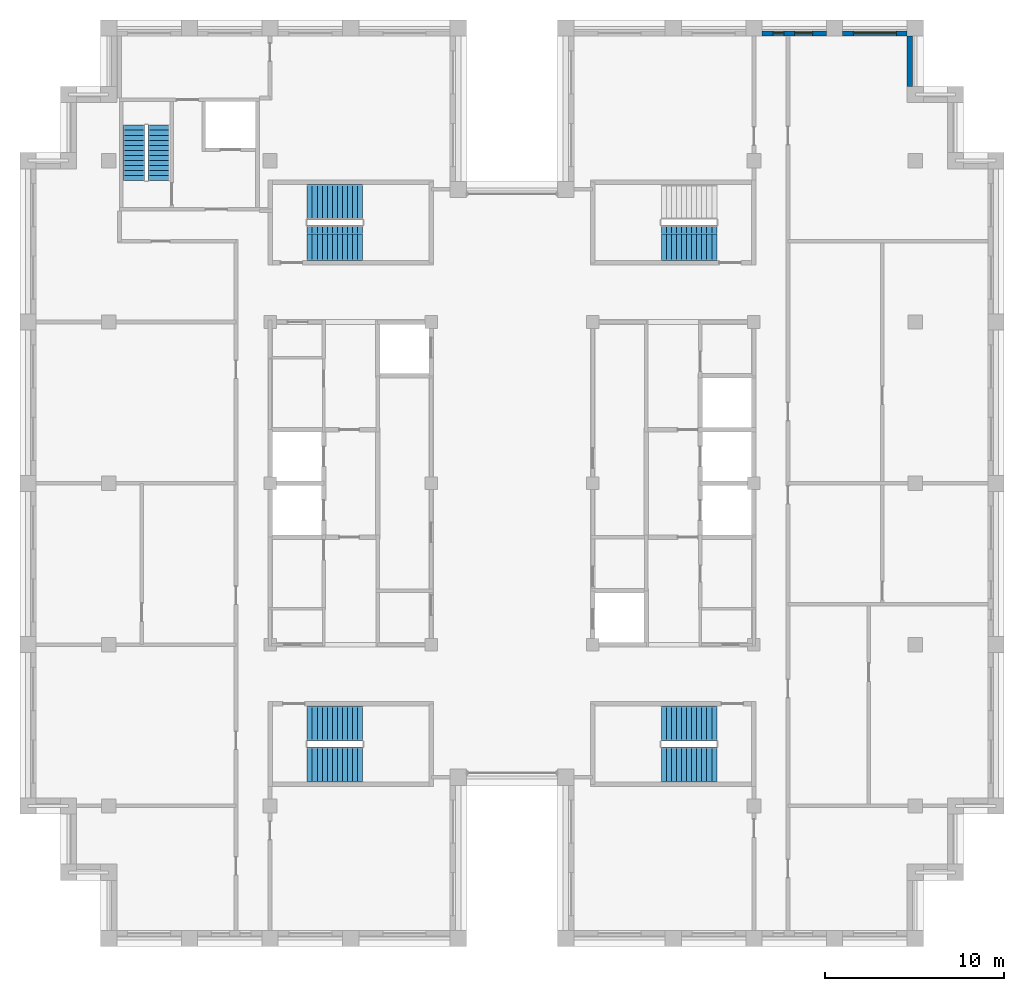
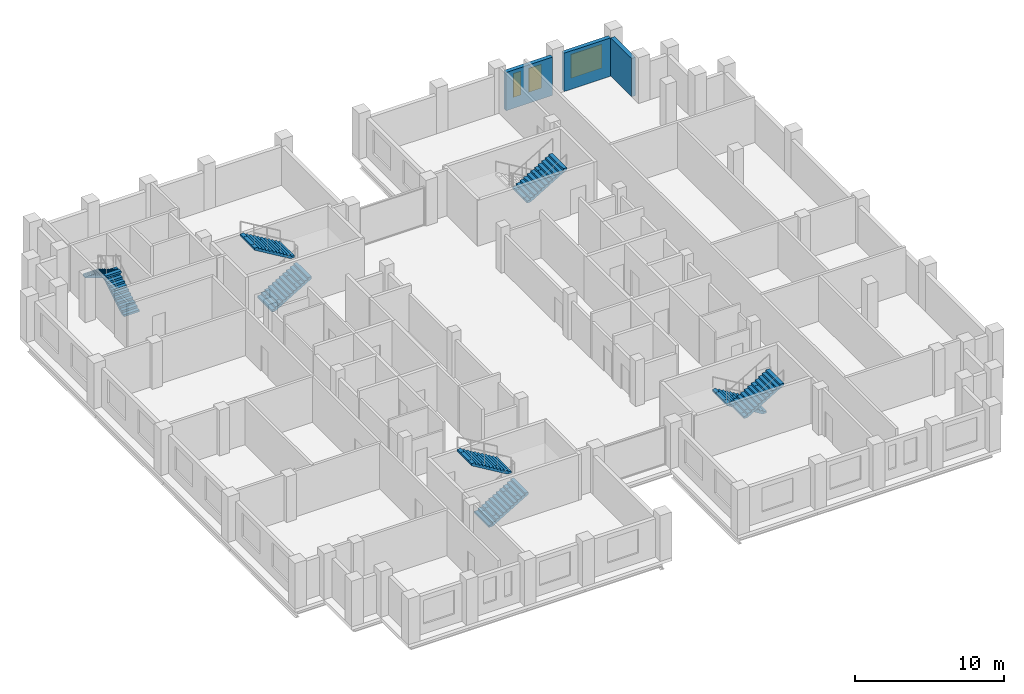
# One storey, part 11 of 13: 9 stair flights, 3 walls, 3 windows, 3 openings, 5 elements without a shape of their own.
"""IFC4 building model written with IfcOpenShell, lengths in metres."""

import ifcopenshell
import ifcopenshell.guid

model = None  # the IFC model being written
_history = None  # IfcOwnerHistory: only IFC2X3 demands one
_inside = {}  # id of a spatial element -> (the spatial element, [elements in it])
_under = {}  # id of a project, library or spatial element -> (it, [spatial elements below it])
_declared = {}  # id of a project -> (the project, [libraries it declares])
_typed = {}  # id of a type object -> (the type object, [elements of that type])
_made_of = {}  # id of a material, layer set ... -> (it, [elements and type objects made of it])


def new_model(schema):
    """Start an empty IFC model of exactly this schema.

    Asked for "IFC4X3", IfcOpenShell would pick the latest addendum, in which some entities
    have other attributes; the version numbers below select the first issue.
    IFC2X3 requires an IfcOwnerHistory on every rooted entity: one is made here for all.
    """
    global model, _history
    if schema == "IFC4X3":
        model = ifcopenshell.file(schema_version=(4, 3, 0, 0))
    else:
        model = ifcopenshell.file(schema=schema)
    _inside.clear()
    _under.clear()
    _declared.clear()
    _typed.clear()
    _made_of.clear()
    _history = None
    if model.schema == "IFC2X3":
        org = make("IfcOrganization", Name="unknown")
        user = make(
            "IfcPersonAndOrganization",
            ThePerson=make("IfcPerson", FamilyName="unknown"),
            TheOrganization=org,
        )
        app = make(
            "IfcApplication",
            ApplicationDeveloper=org,
            Version="unknown",
            ApplicationFullName="unknown",
            ApplicationIdentifier="unknown",
        )
        _history = make(
            "IfcOwnerHistory",
            OwningUser=user,
            OwningApplication=app,
            ChangeAction="ADDED",
            CreationDate=0,
        )
    return model


def make(cls, **values):
    """One entity of the class cls with the attributes given. An attribute that is None is left unset."""
    return model.create_entity(
        cls, **{name: value for name, value in values.items() if value is not None}
    )


def rooted(cls, **values):
    """An entity with a GlobalId (a new one), such as an element, a storey or a relation."""
    return make(cls, GlobalId=ifcopenshell.guid.new(), OwnerHistory=_history, **values)


def si_unit(unit_type, name, prefix=None):
    """IfcSIUnit, for example si_unit("LENGTHUNIT", "METRE", prefix="MILLI")."""
    return make("IfcSIUnit", UnitType=unit_type, Prefix=prefix, Name=name)


def assignment(units):
    """IfcUnitAssignment: the units of a project."""
    return None if units is None else make("IfcUnitAssignment", Units=units)


def point(xyz):
    """IfcCartesianPoint."""
    return None if xyz is None else make("IfcCartesianPoint", Coordinates=xyz)


def direction(xyz):
    """IfcDirection."""
    return None if xyz is None else make("IfcDirection", DirectionRatios=xyz)


def frame(location, z_axis=None, x_axis=None):
    """IfcAxis2Placement3D, a coordinate frame: its origin and axes. An axis left out is left unset."""
    return make(
        "IfcAxis2Placement3D",
        Location=point(location),
        Axis=direction(z_axis),
        RefDirection=direction(x_axis),
    )


def frame_2d(location, x_axis=None):
    """IfcAxis2Placement2D, a coordinate frame in the plane: its origin and x axis."""
    return make(
        "IfcAxis2Placement2D", Location=point(location), RefDirection=direction(x_axis)
    )


def origin():
    """The frame at (0, 0, 0) with its axes left unset."""
    return frame((0.0, 0.0, 0.0))


def place(relative_to, where):
    """IfcLocalPlacement: puts the frame where relative to a parent placement (None: the world)."""
    return make(
        "IfcLocalPlacement", PlacementRelTo=relative_to, RelativePlacement=where
    )


def context(
    kind, dimensions, precision=None, world=None, true_north=None, identifier=None
):
    """IfcGeometricRepresentationContext, for example the 3D "Model" context."""
    return make(
        "IfcGeometricRepresentationContext",
        ContextIdentifier=identifier,
        ContextType=kind,
        CoordinateSpaceDimension=dimensions,
        Precision=precision,
        WorldCoordinateSystem=world,
        TrueNorth=true_north,
    )


def subcontext(parent, identifier, kind, view, scale=None):
    """IfcGeometricRepresentationSubContext, for example "Body" below "Model"."""
    return make(
        "IfcGeometricRepresentationSubContext",
        ContextIdentifier=identifier,
        ContextType=kind,
        ParentContext=parent,
        TargetScale=scale,
        TargetView=view,
    )


def project(units=None, contexts=None):
    """IfcProject with its units and contexts."""
    return rooted(
        "IfcProject",
        Name="project",
        RepresentationContexts=contexts,
        UnitsInContext=assignment(units),
    )


def spatial(cls, under=None, at=None, **own):
    """A site, building, storey or space (cls), placed at a placement, below another one or the project."""
    s = rooted(cls, ObjectPlacement=at, **own)
    if under is not None:
        _under.setdefault(under.id(), (under, []))[1].append(s)
    return s


def polyline(points):
    """IfcPolyline through the points."""
    return make("IfcPolyline", Points=[point(p) for p in points])


def profile(cls, at=None, kind="AREA", **sizes):
    """A parametric profile (cls). Its sizes go by their IFC names, for example OverallWidth=200.0."""
    return make(cls, ProfileType=kind, Position=at, **sizes)


def rectangle(**sizes):
    """IfcRectangleProfileDef."""
    return profile("IfcRectangleProfileDef", **sizes)


def outline(outer, holes=None, kind="AREA"):
    """IfcArbitraryClosedProfileDef: a profile drawn as a closed curve; with holes, ...WithVoids."""
    if holes is None:
        return make("IfcArbitraryClosedProfileDef", ProfileType=kind, OuterCurve=outer)
    return make(
        "IfcArbitraryProfileDefWithVoids",
        ProfileType=kind,
        OuterCurve=outer,
        InnerCurves=holes,
    )


def extrude(swept, where, along, depth):
    """IfcExtrudedAreaSolid: the profile swept, set in the frame where, extruded along a direction by depth."""
    return make(
        "IfcExtrudedAreaSolid",
        SweptArea=swept,
        Position=where,
        ExtrudedDirection=direction(along),
        Depth=depth,
    )


def shape(context_of_items, identifier, shape_type, items):
    """IfcShapeRepresentation: the items that make up one representation, for example the "Body"."""
    return make(
        "IfcShapeRepresentation",
        ContextOfItems=context_of_items,
        RepresentationIdentifier=identifier,
        RepresentationType=shape_type,
        Items=items,
    )


def material(Name=None, Category=None):
    """IfcMaterial."""
    return make("IfcMaterial", Name=Name, Category=Category)


def layer(
    of_material, thickness, ventilated=None, Name=None, Category=None, Priority=None
):
    """IfcMaterialLayer: one layer of a wall or slab, of a material (None: an air gap)."""
    return make(
        "IfcMaterialLayer",
        Material=of_material,
        LayerThickness=thickness,
        IsVentilated=ventilated,
        Name=Name,
        Category=Category,
        Priority=Priority,
    )


def layer_set(layers, Name=None):
    """IfcMaterialLayerSet."""
    return make("IfcMaterialLayerSet", MaterialLayers=layers, LayerSetName=Name)


def made_of(thing, what):
    """Note that an element or type object is made of a material, layer set ...; save() writes the relation."""
    if what is not None:
        _made_of.setdefault(what.id(), (what, []))[1].append(thing)
    return thing


def type_object(cls, material=None, **own):
    """A type object (cls), such as IfcWallType, which elements share."""
    return made_of(rooted(cls, **own), material)


def element(
    cls,
    number,
    at=None,
    inside=None,
    cuts=None,
    type_object=None,
    material=None,
    context=None,
    identifier="Body",
    shape_type=None,
    held_by="IfcProductDefinitionShape",
    body=None,
    shapes=None,
    **own,
):
    """One element of the class cls, such as IfcWall. Its Tag is "e" and its number.

    at: its placement. inside: the storey or other place that contains it. cuts: it is an
    opening in that element (IfcRelVoidsElement). A single representation is given by context,
    identifier, shape_type and body (its items); several are given by shapes. held_by: the class
    of the entity that holds the representations. save() writes the other relations.
    """
    e = rooted(cls, Tag="e%d" % number, ObjectPlacement=at, **own)
    if body is not None:
        shapes = [shape(context, identifier, shape_type, body)]
    if shapes is not None:
        e.Representation = make(held_by, Representations=shapes)
    if inside is not None:
        _inside.setdefault(inside.id(), (inside, []))[1].append(e)
    if cuts is not None:
        rooted(
            "IfcRelVoidsElement", RelatingBuildingElement=cuts, RelatedOpeningElement=e
        )
    if type_object is not None:
        _typed.setdefault(type_object.id(), (type_object, []))[1].append(e)
    return made_of(e, material)


def fill(opening, filler):
    """IfcRelFillsElement: the door or window that sits in an opening."""
    return rooted(
        "IfcRelFillsElement",
        RelatingOpeningElement=opening,
        RelatedBuildingElement=filler,
    )


def aggregate(whole, parts):
    """IfcRelAggregates: a whole, such as a stair, and the parts it consists of."""
    return rooted("IfcRelAggregates", RelatingObject=whole, RelatedObjects=parts)


def save(model, path):
    """Write the relations noted so far, then the file.

    IfcRelAggregates (storeys below a building ...), IfcRelContainedInSpatialStructure (elements
    in a storey), IfcRelDefinesByType, IfcRelAssociatesMaterial and IfcRelDeclares: one each for
    every whole, place, type object, material and project.
    """
    for whole, parts in _under.values():
        aggregate(whole, parts)
    for where, things in _inside.values():
        rooted(
            "IfcRelContainedInSpatialStructure",
            RelatedElements=things,
            RelatingStructure=where,
        )
    for kind, things in _typed.values():
        rooted("IfcRelDefinesByType", RelatedObjects=things, RelatingType=kind)
    for what, things in _made_of.values():
        rooted("IfcRelAssociatesMaterial", RelatedObjects=things, RelatingMaterial=what)
    for by, libraries in _declared.values():
        rooted("IfcRelDeclares", RelatingContext=by, RelatedDefinitions=libraries)
    model.write(path)


model = new_model("IFC4")

# Units and contexts
model_context = context("Model", 3, precision=1e-05, world=origin(), true_north=direction((0.0, 1.0)))
body_context = subcontext(model_context, "Body", "Model", "MODEL_VIEW")
ifc_project = project(units=[si_unit("LENGTHUNIT", "METRE"), si_unit("AREAUNIT", "SQUARE_METRE"), si_unit("VOLUMEUNIT", "CUBIC_METRE"), si_unit("PLANEANGLEUNIT", "RADIAN"), si_unit("MASSUNIT", "GRAM", prefix="KILO")], contexts=[model_context])

# Site, building, storey
site_placement = place(None, origin())
site = spatial("IfcSite", under=ifc_project, at=site_placement, CompositionType="ELEMENT")
building_placement = place(site_placement, origin())
building = spatial("IfcBuilding", under=site, at=building_placement, Name="Corbelhall Arena Tower", CompositionType="ELEMENT")
storey_placement = place(building_placement, frame((0.0, 0.0, 334.0)))
storey = spatial("IfcBuildingStorey", under=building, at=storey_placement, Name="L73", CompositionType="ELEMENT", Elevation=334.0)

# Wall
ifc_material_1 = material(Name="Precast concrete C40/50 with granite facing", Category="masonry")
ifc_layer = layer(ifc_material_1, 0.300048828125)
ifc_layer_set = layer_set([ifc_layer], Name="EV-IW1 Infill panel 300")
wall_type = type_object("IfcWallType", Name="EV-IW1 Infill panel 300", PredefinedType="SOLIDWALL", material=ifc_layer_set)
wall_1_placement = place(storey_placement, frame((22.199951171875, 22.14990234375, 0.0), z_axis=(0.0, 0.0, 1.0), x_axis=(0.0, 1.0, 0.0)))
element("IfcWall", 1, at=wall_1_placement, inside=storey, type_object=wall_type, Name="Infill panel IW1", PredefinedType="SOLIDWALL", context=body_context, shape_type="SweptSolid", body=[
    extrude(rectangle(XDim=2.800048828125, YDim=0.300048828125, at=frame_2d((1.39990234375, 0.0))), origin(), (0.0, 0.0, 1.0), 3.139892578125),
])

# Wall, opening, window
wall_2_placement = place(storey_placement, frame((22.050048828125, 25.10009765625, 0.0), z_axis=(0.0, 0.0, 1.0), x_axis=(-1.0, 0.0, 0.0)))
wall_2 = element("IfcWall", 2, at=wall_2_placement, inside=storey, type_object=wall_type, Name="Infill panel IW1", PredefinedType="SOLIDWALL", context=body_context, shape_type="SweptSolid", body=[
    extrude(rectangle(XDim=3.60009765625, YDim=0.300048828125, at=frame_2d((1.800048828125, 0.0))), origin(), (0.0, 0.0, 1.0), 3.139892578125),
])
opening_1_placement = place(wall_2_placement, frame((0.60009765625, 0.0, 0.800048828125)))
opening_1 = element("IfcOpeningElement", 3, at=opening_1_placement, cuts=wall_2, Name="Opening WN1", PredefinedType="OPENING", context=body_context, shape_type="SweptSolid", body=[
    extrude(rectangle(XDim=2.39990234375, YDim=1.949951171875, at=frame_2d((1.199951171875, 0.97509765625))), frame((0.0, 0.14990234375, 0.0), z_axis=(0.0, -1.0, 0.0), x_axis=(1.0, 0.0, 0.0)), (0.0, 0.0, 1.0), 0.300048828125),
])
ifc_material_2 = material(Name="Aluminium black anodised", Category="aluminium")
window_type_1 = type_object("IfcWindowType", Name="EV-WN1 Office window", PartitioningType="SINGLE_PANEL", PredefinedType="WINDOW", material=ifc_material_2)
window_1_placement = place(opening_1_placement, origin())
window_1 = element("IfcWindow", 4, at=window_1_placement, inside=storey, type_object=window_type_1, Name="Window WN1", OverallHeight=1.949951171875, OverallWidth=2.39990234375, PartitioningType="SINGLE_PANEL", PredefinedType="WINDOW", context=body_context, shape_type="SweptSolid", body=[
    extrude(rectangle(XDim=2.39990234375, YDim=1.949951171875, at=frame_2d((1.199951171875, 0.97509765625))), frame((0.0, 0.030029296875, 0.0), z_axis=(0.0, -1.0, 0.0), x_axis=(1.0, 0.0, 0.0)), (0.0, 0.0, 1.0), 0.06005859375),
])
fill(opening_1, window_1)

# Wall, openings, windows
wall_3_placement = place(storey_placement, frame((17.550048828125, 25.10009765625, 0.0), z_axis=(0.0, 0.0, 1.0), x_axis=(-1.0, 0.0, 0.0)))
wall_3 = element("IfcWall", 5, at=wall_3_placement, inside=storey, type_object=wall_type, Name="Infill panel IW1", PredefinedType="SOLIDWALL", context=body_context, shape_type="SweptSolid", body=[
    extrude(rectangle(XDim=3.60009765625, YDim=0.300048828125, at=frame_2d((1.800048828125, 0.0))), origin(), (0.0, 0.0, 1.0), 3.139892578125),
])
opening_2_placement = place(wall_3_placement, frame((0.77490234375, 0.0, 0.800048828125)))
opening_2 = element("IfcOpeningElement", 6, at=opening_2_placement, cuts=wall_3, Name="Opening WN6", PredefinedType="OPENING", context=body_context, shape_type="SweptSolid", body=[
    extrude(rectangle(XDim=1.0, YDim=1.949951171875, at=frame_2d((0.5, 0.97509765625))), frame((0.0, 0.14990234375, 0.0), z_axis=(0.0, -1.0, 0.0), x_axis=(1.0, 0.0, 0.0)), (0.0, 0.0, 1.0), 0.300048828125),
])
opening_3_placement = place(wall_3_placement, frame((2.375, 0.0, 0.800048828125)))
opening_3 = element("IfcOpeningElement", 7, at=opening_3_placement, cuts=wall_3, Name="Opening WN5", PredefinedType="OPENING", context=body_context, shape_type="SweptSolid", body=[
    extrude(rectangle(XDim=0.60009765625, YDim=1.949951171875, at=frame_2d((0.300048828125, 0.97509765625))), frame((0.0, 0.14990234375, 0.0), z_axis=(0.0, -1.0, 0.0), x_axis=(1.0, 0.0, 0.0)), (0.0, 0.0, 1.0), 0.300048828125),
])
window_type_2 = type_object("IfcWindowType", Name="EV-WN5 Office window 600", PartitioningType="SINGLE_PANEL", PredefinedType="WINDOW", material=ifc_material_2)
window_2_placement = place(opening_3_placement, origin())
window_2 = element("IfcWindow", 8, at=window_2_placement, inside=storey, type_object=window_type_2, Name="Window WN5", OverallHeight=1.949951171875, OverallWidth=0.60009765625, PartitioningType="SINGLE_PANEL", PredefinedType="WINDOW", context=body_context, shape_type="SweptSolid", body=[
    extrude(rectangle(XDim=0.60009765625, YDim=1.949951171875, at=frame_2d((0.300048828125, 0.97509765625))), frame((0.0, 0.030029296875, 0.0), z_axis=(0.0, -1.0, 0.0), x_axis=(1.0, 0.0, 0.0)), (0.0, 0.0, 1.0), 0.06005859375),
])
fill(opening_3, window_2)
window_type_3 = type_object("IfcWindowType", Name="EV-WN6 Office window 1000", PartitioningType="SINGLE_PANEL", PredefinedType="WINDOW", material=ifc_material_2)
window_3_placement = place(opening_2_placement, origin())
window_3 = element("IfcWindow", 9, at=window_3_placement, inside=storey, type_object=window_type_3, Name="Window WN6", OverallHeight=1.949951171875, OverallWidth=1.0, PartitioningType="SINGLE_PANEL", PredefinedType="WINDOW", context=body_context, shape_type="SweptSolid", body=[
    extrude(rectangle(XDim=1.0, YDim=1.949951171875, at=frame_2d((0.5, 0.97509765625))), frame((0.0, 0.030029296875, 0.0), z_axis=(0.0, -1.0, 0.0), x_axis=(1.0, 0.0, 0.0)), (0.0, 0.0, 1.0), 0.06005859375),
])
fill(opening_2, window_3)

# Stair, stair flights
ifc_material_3 = material(Name="Concrete C40/50", Category="concrete")
stair_type = type_object("IfcStairType", Name="IN-ST-TOWER", PredefinedType="HALF_TURN_STAIR", material=ifc_material_3)
stair_1_placement = place(storey_placement, origin())
stair_1 = element("IfcStair", 10, at=stair_1_placement, inside=storey, type_object=stair_type, Name="L73 Exit stair ST1", PredefinedType="HALF_TURN_STAIR")
stair_flight_type = type_object("IfcStairFlightType", Name="IN-SFL-RC", PredefinedType="STRAIGHT", material=ifc_material_3)
stair_flight_1_placement = place(storey_placement, frame((-11.425048828125, 13.39990234375, 0.0), z_axis=(0.0, 0.0, 1.0), x_axis=(1.0, 0.0, 0.0)))
stair_flight_1 = element("IfcStairFlight", 11, at=stair_flight_1_placement, type_object=stair_flight_type, Name="ST1 flight 1", NumberOfRisers=12, NumberOfTreads=11, PredefinedType="STRAIGHT", RiserHeight=0.166666667, TreadLength=0.28, context=body_context, shape_type="SweptSolid", body=[
    extrude(outline(polyline([(0.0, 0.0), (0.0, 0.166748046875), (0.280029296875, 0.166748046875), (0.280029296875, 0.333251953125), (0.56005859375, 0.333251953125), (0.56005859375, 0.5), (0.840087890625, 0.5), (0.840087890625, 0.666748046875), (1.1201171875, 0.666748046875), (1.1201171875, 0.833251953125), (1.39990234375, 0.833251953125), (1.39990234375, 1.0), (1.679931640625, 1.0), (1.679931640625, 1.166748046875), (1.9599609375, 1.166748046875), (1.9599609375, 1.333251953125), (2.239990234375, 1.333251953125), (2.239990234375, 1.5), (2.52001953125, 1.5), (2.52001953125, 1.666748046875), (2.800048828125, 1.666748046875), (2.800048828125, 1.833251953125), (3.080078125, 1.833251953125), (3.080078125, 2.0), (3.080078125, 1.658935546875), (0.29296875, 0.0), (0.0, 0.0)])), frame((0.0, 0.97509765625, 0.0), z_axis=(0.0, -1.0, 0.0), x_axis=(1.0, 0.0, 0.0)), (0.0, 0.0, 1.0), 0.449951171875),
    extrude(outline(polyline([(0.0, 0.0), (0.0, 0.166748046875), (0.280029296875, 0.166748046875), (0.280029296875, 0.333251953125), (0.56005859375, 0.333251953125), (0.56005859375, 0.5), (0.840087890625, 0.5), (0.840087890625, 0.666748046875), (1.1201171875, 0.666748046875), (1.1201171875, 0.833251953125), (1.39990234375, 0.833251953125), (1.39990234375, 1.0), (1.679931640625, 1.0), (1.679931640625, 1.166748046875), (1.9599609375, 1.166748046875), (1.9599609375, 1.333251953125), (2.239990234375, 1.333251953125), (2.239990234375, 1.5), (2.52001953125, 1.5), (2.52001953125, 1.666748046875), (2.800048828125, 1.666748046875), (2.800048828125, 1.833251953125), (3.080078125, 1.833251953125), (3.080078125, 2.0), (3.080078125, 1.658935546875), (0.29296875, 0.0), (0.0, 0.0)])), frame((0.0, 0.52099609375, 0.0), z_axis=(0.0, -1.0, 0.0), x_axis=(1.0, 0.0, 0.0)), (0.0, 0.0, 1.0), 1.0419921875),
    extrude(outline(polyline([(0.0, 0.0), (0.0, 0.166748046875), (0.280029296875, 0.166748046875), (0.280029296875, 0.333251953125), (0.56005859375, 0.333251953125), (0.56005859375, 0.5), (0.840087890625, 0.5), (0.840087890625, 0.666748046875), (1.1201171875, 0.666748046875), (1.1201171875, 0.833251953125), (1.39990234375, 0.833251953125), (1.39990234375, 1.0), (1.679931640625, 1.0), (1.679931640625, 1.166748046875), (1.9599609375, 1.166748046875), (1.9599609375, 1.333251953125), (2.239990234375, 1.333251953125), (2.239990234375, 1.5), (2.52001953125, 1.5), (2.52001953125, 1.666748046875), (2.800048828125, 1.666748046875), (2.800048828125, 1.833251953125), (3.080078125, 1.833251953125), (3.080078125, 2.0), (3.080078125, 1.658935546875), (0.29296875, 0.0), (0.0, 0.0)])), frame((0.0, -0.52490234375, 0.0), z_axis=(0.0, -1.0, 0.0), x_axis=(1.0, 0.0, 0.0)), (0.0, 0.0, 1.0), 0.449951171875),
])
stair_flight_2_placement = place(storey_placement, frame((-8.344970703125, 15.699951171875, 2.0), z_axis=(0.0, 0.0, 1.0), x_axis=(-1.0, 0.0, 0.0)))
stair_flight_2 = element("IfcStairFlight", 12, at=stair_flight_2_placement, type_object=stair_flight_type, Name="ST1 flight 2", NumberOfRisers=12, NumberOfTreads=11, PredefinedType="STRAIGHT", RiserHeight=0.166666667, TreadLength=0.28, context=body_context, shape_type="SweptSolid", body=[
    extrude(outline(polyline([(0.0, 0.0), (0.0, 0.166748046875), (0.280029296875, 0.166748046875), (0.280029296875, 0.333251953125), (0.56005859375, 0.333251953125), (0.56005859375, 0.5), (0.840087890625, 0.5), (0.840087890625, 0.666748046875), (1.1201171875, 0.666748046875), (1.1201171875, 0.833251953125), (1.39990234375, 0.833251953125), (1.39990234375, 1.0), (1.679931640625, 1.0), (1.679931640625, 1.166748046875), (1.9599609375, 1.166748046875), (1.9599609375, 1.333251953125), (2.239990234375, 1.333251953125), (2.239990234375, 1.5), (2.52001953125, 1.5), (2.52001953125, 1.666748046875), (2.800048828125, 1.666748046875), (2.800048828125, 1.833251953125), (3.080078125, 1.833251953125), (3.080078125, 2.0), (3.080078125, 1.658935546875), (0.29296875, 0.0), (0.0, 0.0)])), frame((0.0, 0.97509765625, 0.0), z_axis=(0.0, -1.0, 0.0), x_axis=(1.0, 0.0, 0.0)), (0.0, 0.0, 1.0), 0.449951171875),
    extrude(outline(polyline([(0.0, 0.0), (0.0, 0.166748046875), (0.280029296875, 0.166748046875), (0.280029296875, 0.333251953125), (0.56005859375, 0.333251953125), (0.56005859375, 0.5), (0.840087890625, 0.5), (0.840087890625, 0.666748046875), (1.1201171875, 0.666748046875), (1.1201171875, 0.833251953125), (1.39990234375, 0.833251953125), (1.39990234375, 1.0), (1.679931640625, 1.0), (1.679931640625, 1.166748046875), (1.9599609375, 1.166748046875), (1.9599609375, 1.333251953125), (2.239990234375, 1.333251953125), (2.239990234375, 1.5), (2.52001953125, 1.5), (2.52001953125, 1.666748046875), (2.800048828125, 1.666748046875), (2.800048828125, 1.833251953125), (3.080078125, 1.833251953125), (3.080078125, 2.0), (3.080078125, 1.658935546875), (0.29296875, 0.0), (0.0, 0.0)])), frame((0.0, 0.52099609375, 0.0), z_axis=(0.0, -1.0, 0.0), x_axis=(1.0, 0.0, 0.0)), (0.0, 0.0, 1.0), 1.0419921875),
    extrude(outline(polyline([(0.0, 0.0), (0.0, 0.166748046875), (0.280029296875, 0.166748046875), (0.280029296875, 0.333251953125), (0.56005859375, 0.333251953125), (0.56005859375, 0.5), (0.840087890625, 0.5), (0.840087890625, 0.666748046875), (1.1201171875, 0.666748046875), (1.1201171875, 0.833251953125), (1.39990234375, 0.833251953125), (1.39990234375, 1.0), (1.679931640625, 1.0), (1.679931640625, 1.166748046875), (1.9599609375, 1.166748046875), (1.9599609375, 1.333251953125), (2.239990234375, 1.333251953125), (2.239990234375, 1.5), (2.52001953125, 1.5), (2.52001953125, 1.666748046875), (2.800048828125, 1.666748046875), (2.800048828125, 1.833251953125), (3.080078125, 1.833251953125), (3.080078125, 2.0), (3.080078125, 1.658935546875), (0.29296875, 0.0), (0.0, 0.0)])), frame((0.0, -0.52490234375, 0.0), z_axis=(0.0, -1.0, 0.0), x_axis=(1.0, 0.0, 0.0)), (0.0, 0.0, 1.0), 0.449951171875),
])
aggregate(stair_1, [stair_flight_1, stair_flight_2])

stair_2_placement = place(storey_placement, origin())
stair_2 = element("IfcStair", 13, at=stair_2_placement, inside=storey, type_object=stair_type, Name="L73 Exit stair ST2", PredefinedType="HALF_TURN_STAIR")
stair_flight_3_placement = place(storey_placement, frame((-11.425048828125, -15.699951171875, 0.0), z_axis=(0.0, 0.0, 1.0), x_axis=(1.0, 0.0, 0.0)))
stair_flight_3 = element("IfcStairFlight", 14, at=stair_flight_3_placement, type_object=stair_flight_type, Name="ST2 flight 1", NumberOfRisers=12, NumberOfTreads=11, PredefinedType="STRAIGHT", RiserHeight=0.166666667, TreadLength=0.28, context=body_context, shape_type="SweptSolid", body=[
    extrude(outline(polyline([(0.0, 0.0), (0.0, 0.166748046875), (0.280029296875, 0.166748046875), (0.280029296875, 0.333251953125), (0.56005859375, 0.333251953125), (0.56005859375, 0.5), (0.840087890625, 0.5), (0.840087890625, 0.666748046875), (1.1201171875, 0.666748046875), (1.1201171875, 0.833251953125), (1.39990234375, 0.833251953125), (1.39990234375, 1.0), (1.679931640625, 1.0), (1.679931640625, 1.166748046875), (1.9599609375, 1.166748046875), (1.9599609375, 1.333251953125), (2.239990234375, 1.333251953125), (2.239990234375, 1.5), (2.52001953125, 1.5), (2.52001953125, 1.666748046875), (2.800048828125, 1.666748046875), (2.800048828125, 1.833251953125), (3.080078125, 1.833251953125), (3.080078125, 2.0), (3.080078125, 1.658935546875), (0.29296875, 0.0), (0.0, 0.0)])), frame((0.0, 0.97509765625, 0.0), z_axis=(0.0, -1.0, 0.0), x_axis=(1.0, 0.0, 0.0)), (0.0, 0.0, 1.0), 0.449951171875),
    extrude(outline(polyline([(0.0, 0.0), (0.0, 0.166748046875), (0.280029296875, 0.166748046875), (0.280029296875, 0.333251953125), (0.56005859375, 0.333251953125), (0.56005859375, 0.5), (0.840087890625, 0.5), (0.840087890625, 0.666748046875), (1.1201171875, 0.666748046875), (1.1201171875, 0.833251953125), (1.39990234375, 0.833251953125), (1.39990234375, 1.0), (1.679931640625, 1.0), (1.679931640625, 1.166748046875), (1.9599609375, 1.166748046875), (1.9599609375, 1.333251953125), (2.239990234375, 1.333251953125), (2.239990234375, 1.5), (2.52001953125, 1.5), (2.52001953125, 1.666748046875), (2.800048828125, 1.666748046875), (2.800048828125, 1.833251953125), (3.080078125, 1.833251953125), (3.080078125, 2.0), (3.080078125, 1.658935546875), (0.29296875, 0.0), (0.0, 0.0)])), frame((0.0, 0.52099609375, 0.0), z_axis=(0.0, -1.0, 0.0), x_axis=(1.0, 0.0, 0.0)), (0.0, 0.0, 1.0), 1.0419921875),
    extrude(outline(polyline([(0.0, 0.0), (0.0, 0.166748046875), (0.280029296875, 0.166748046875), (0.280029296875, 0.333251953125), (0.56005859375, 0.333251953125), (0.56005859375, 0.5), (0.840087890625, 0.5), (0.840087890625, 0.666748046875), (1.1201171875, 0.666748046875), (1.1201171875, 0.833251953125), (1.39990234375, 0.833251953125), (1.39990234375, 1.0), (1.679931640625, 1.0), (1.679931640625, 1.166748046875), (1.9599609375, 1.166748046875), (1.9599609375, 1.333251953125), (2.239990234375, 1.333251953125), (2.239990234375, 1.5), (2.52001953125, 1.5), (2.52001953125, 1.666748046875), (2.800048828125, 1.666748046875), (2.800048828125, 1.833251953125), (3.080078125, 1.833251953125), (3.080078125, 2.0), (3.080078125, 1.658935546875), (0.29296875, 0.0), (0.0, 0.0)])), frame((0.0, -0.52490234375, 0.0), z_axis=(0.0, -1.0, 0.0), x_axis=(1.0, 0.0, 0.0)), (0.0, 0.0, 1.0), 0.449951171875),
])
stair_flight_4_placement = place(storey_placement, frame((-8.344970703125, -13.39990234375, 2.0), z_axis=(0.0, 0.0, 1.0), x_axis=(-1.0, 0.0, 0.0)))
stair_flight_4 = element("IfcStairFlight", 15, at=stair_flight_4_placement, type_object=stair_flight_type, Name="ST2 flight 2", NumberOfRisers=12, NumberOfTreads=11, PredefinedType="STRAIGHT", RiserHeight=0.166666667, TreadLength=0.28, context=body_context, shape_type="SweptSolid", body=[
    extrude(outline(polyline([(0.0, 0.0), (0.0, 0.166748046875), (0.280029296875, 0.166748046875), (0.280029296875, 0.333251953125), (0.56005859375, 0.333251953125), (0.56005859375, 0.5), (0.840087890625, 0.5), (0.840087890625, 0.666748046875), (1.1201171875, 0.666748046875), (1.1201171875, 0.833251953125), (1.39990234375, 0.833251953125), (1.39990234375, 1.0), (1.679931640625, 1.0), (1.679931640625, 1.166748046875), (1.9599609375, 1.166748046875), (1.9599609375, 1.333251953125), (2.239990234375, 1.333251953125), (2.239990234375, 1.5), (2.52001953125, 1.5), (2.52001953125, 1.666748046875), (2.800048828125, 1.666748046875), (2.800048828125, 1.833251953125), (3.080078125, 1.833251953125), (3.080078125, 2.0), (3.080078125, 1.658935546875), (0.29296875, 0.0), (0.0, 0.0)])), frame((0.0, 0.97509765625, 0.0), z_axis=(0.0, -1.0, 0.0), x_axis=(1.0, 0.0, 0.0)), (0.0, 0.0, 1.0), 0.449951171875),
    extrude(outline(polyline([(0.0, 0.0), (0.0, 0.166748046875), (0.280029296875, 0.166748046875), (0.280029296875, 0.333251953125), (0.56005859375, 0.333251953125), (0.56005859375, 0.5), (0.840087890625, 0.5), (0.840087890625, 0.666748046875), (1.1201171875, 0.666748046875), (1.1201171875, 0.833251953125), (1.39990234375, 0.833251953125), (1.39990234375, 1.0), (1.679931640625, 1.0), (1.679931640625, 1.166748046875), (1.9599609375, 1.166748046875), (1.9599609375, 1.333251953125), (2.239990234375, 1.333251953125), (2.239990234375, 1.5), (2.52001953125, 1.5), (2.52001953125, 1.666748046875), (2.800048828125, 1.666748046875), (2.800048828125, 1.833251953125), (3.080078125, 1.833251953125), (3.080078125, 2.0), (3.080078125, 1.658935546875), (0.29296875, 0.0), (0.0, 0.0)])), frame((0.0, 0.52099609375, 0.0), z_axis=(0.0, -1.0, 0.0), x_axis=(1.0, 0.0, 0.0)), (0.0, 0.0, 1.0), 1.0419921875),
    extrude(outline(polyline([(0.0, 0.0), (0.0, 0.166748046875), (0.280029296875, 0.166748046875), (0.280029296875, 0.333251953125), (0.56005859375, 0.333251953125), (0.56005859375, 0.5), (0.840087890625, 0.5), (0.840087890625, 0.666748046875), (1.1201171875, 0.666748046875), (1.1201171875, 0.833251953125), (1.39990234375, 0.833251953125), (1.39990234375, 1.0), (1.679931640625, 1.0), (1.679931640625, 1.166748046875), (1.9599609375, 1.166748046875), (1.9599609375, 1.333251953125), (2.239990234375, 1.333251953125), (2.239990234375, 1.5), (2.52001953125, 1.5), (2.52001953125, 1.666748046875), (2.800048828125, 1.666748046875), (2.800048828125, 1.833251953125), (3.080078125, 1.833251953125), (3.080078125, 2.0), (3.080078125, 1.658935546875), (0.29296875, 0.0), (0.0, 0.0)])), frame((0.0, -0.52490234375, 0.0), z_axis=(0.0, -1.0, 0.0), x_axis=(1.0, 0.0, 0.0)), (0.0, 0.0, 1.0), 0.449951171875),
])
aggregate(stair_2, [stair_flight_3, stair_flight_4])

# Stair, stair flight
stair_3_placement = place(storey_placement, origin())
stair_3 = element("IfcStair", 16, at=stair_3_placement, inside=storey, type_object=stair_type, Name="L73 Exit stair ST3", PredefinedType="HALF_TURN_STAIR")
stair_flight_5_placement = place(storey_placement, frame((8.344970703125, 13.39990234375, 2.0), z_axis=(0.0, 0.0, 1.0), x_axis=(1.0, 0.0, 0.0)))
stair_flight_5 = element("IfcStairFlight", 17, at=stair_flight_5_placement, type_object=stair_flight_type, Name="ST3 flight 2", NumberOfRisers=12, NumberOfTreads=11, PredefinedType="STRAIGHT", RiserHeight=0.166666667, TreadLength=0.28, context=body_context, shape_type="SweptSolid", body=[
    extrude(outline(polyline([(0.0, 0.0), (0.0, 0.166748046875), (0.280029296875, 0.166748046875), (0.280029296875, 0.333251953125), (0.56005859375, 0.333251953125), (0.56005859375, 0.5), (0.840087890625, 0.5), (0.840087890625, 0.666748046875), (1.1201171875, 0.666748046875), (1.1201171875, 0.833251953125), (1.39990234375, 0.833251953125), (1.39990234375, 1.0), (1.679931640625, 1.0), (1.679931640625, 1.166748046875), (1.9599609375, 1.166748046875), (1.9599609375, 1.333251953125), (2.239990234375, 1.333251953125), (2.239990234375, 1.5), (2.52001953125, 1.5), (2.52001953125, 1.666748046875), (2.800048828125, 1.666748046875), (2.800048828125, 1.833251953125), (3.080078125, 1.833251953125), (3.080078125, 2.0), (3.080078125, 1.658935546875), (0.29296875, 0.0), (0.0, 0.0)])), frame((0.0, 0.97509765625, 0.0), z_axis=(0.0, -1.0, 0.0), x_axis=(1.0, 0.0, 0.0)), (0.0, 0.0, 1.0), 0.449951171875),
    extrude(outline(polyline([(0.0, 0.0), (0.0, 0.166748046875), (0.280029296875, 0.166748046875), (0.280029296875, 0.333251953125), (0.56005859375, 0.333251953125), (0.56005859375, 0.5), (0.840087890625, 0.5), (0.840087890625, 0.666748046875), (1.1201171875, 0.666748046875), (1.1201171875, 0.833251953125), (1.39990234375, 0.833251953125), (1.39990234375, 1.0), (1.679931640625, 1.0), (1.679931640625, 1.166748046875), (1.9599609375, 1.166748046875), (1.9599609375, 1.333251953125), (2.239990234375, 1.333251953125), (2.239990234375, 1.5), (2.52001953125, 1.5), (2.52001953125, 1.666748046875), (2.800048828125, 1.666748046875), (2.800048828125, 1.833251953125), (3.080078125, 1.833251953125), (3.080078125, 2.0), (3.080078125, 1.658935546875), (0.29296875, 0.0), (0.0, 0.0)])), frame((0.0, 0.52099609375, 0.0), z_axis=(0.0, -1.0, 0.0), x_axis=(1.0, 0.0, 0.0)), (0.0, 0.0, 1.0), 1.0419921875),
    extrude(outline(polyline([(0.0, 0.0), (0.0, 0.166748046875), (0.280029296875, 0.166748046875), (0.280029296875, 0.333251953125), (0.56005859375, 0.333251953125), (0.56005859375, 0.5), (0.840087890625, 0.5), (0.840087890625, 0.666748046875), (1.1201171875, 0.666748046875), (1.1201171875, 0.833251953125), (1.39990234375, 0.833251953125), (1.39990234375, 1.0), (1.679931640625, 1.0), (1.679931640625, 1.166748046875), (1.9599609375, 1.166748046875), (1.9599609375, 1.333251953125), (2.239990234375, 1.333251953125), (2.239990234375, 1.5), (2.52001953125, 1.5), (2.52001953125, 1.666748046875), (2.800048828125, 1.666748046875), (2.800048828125, 1.833251953125), (3.080078125, 1.833251953125), (3.080078125, 2.0), (3.080078125, 1.658935546875), (0.29296875, 0.0), (0.0, 0.0)])), frame((0.0, -0.52490234375, 0.0), z_axis=(0.0, -1.0, 0.0), x_axis=(1.0, 0.0, 0.0)), (0.0, 0.0, 1.0), 0.449951171875),
])
aggregate(stair_3, [stair_flight_5])

# Stair, stair flights
stair_4_placement = place(storey_placement, origin())
stair_4 = element("IfcStair", 18, at=stair_4_placement, inside=storey, type_object=stair_type, Name="L73 Exit stair ST4", PredefinedType="HALF_TURN_STAIR")
stair_flight_6_placement = place(storey_placement, frame((11.425048828125, -13.39990234375, 0.0), z_axis=(0.0, 0.0, 1.0), x_axis=(-1.0, 0.0, 0.0)))
stair_flight_6 = element("IfcStairFlight", 19, at=stair_flight_6_placement, type_object=stair_flight_type, Name="ST4 flight 1", NumberOfRisers=12, NumberOfTreads=11, PredefinedType="STRAIGHT", RiserHeight=0.166666667, TreadLength=0.28, context=body_context, shape_type="SweptSolid", body=[
    extrude(outline(polyline([(0.0, 0.0), (0.0, 0.166748046875), (0.280029296875, 0.166748046875), (0.280029296875, 0.333251953125), (0.56005859375, 0.333251953125), (0.56005859375, 0.5), (0.840087890625, 0.5), (0.840087890625, 0.666748046875), (1.1201171875, 0.666748046875), (1.1201171875, 0.833251953125), (1.39990234375, 0.833251953125), (1.39990234375, 1.0), (1.679931640625, 1.0), (1.679931640625, 1.166748046875), (1.9599609375, 1.166748046875), (1.9599609375, 1.333251953125), (2.239990234375, 1.333251953125), (2.239990234375, 1.5), (2.52001953125, 1.5), (2.52001953125, 1.666748046875), (2.800048828125, 1.666748046875), (2.800048828125, 1.833251953125), (3.080078125, 1.833251953125), (3.080078125, 2.0), (3.080078125, 1.658935546875), (0.29296875, 0.0), (0.0, 0.0)])), frame((0.0, 0.97509765625, 0.0), z_axis=(0.0, -1.0, 0.0), x_axis=(1.0, 0.0, 0.0)), (0.0, 0.0, 1.0), 0.449951171875),
    extrude(outline(polyline([(0.0, 0.0), (0.0, 0.166748046875), (0.280029296875, 0.166748046875), (0.280029296875, 0.333251953125), (0.56005859375, 0.333251953125), (0.56005859375, 0.5), (0.840087890625, 0.5), (0.840087890625, 0.666748046875), (1.1201171875, 0.666748046875), (1.1201171875, 0.833251953125), (1.39990234375, 0.833251953125), (1.39990234375, 1.0), (1.679931640625, 1.0), (1.679931640625, 1.166748046875), (1.9599609375, 1.166748046875), (1.9599609375, 1.333251953125), (2.239990234375, 1.333251953125), (2.239990234375, 1.5), (2.52001953125, 1.5), (2.52001953125, 1.666748046875), (2.800048828125, 1.666748046875), (2.800048828125, 1.833251953125), (3.080078125, 1.833251953125), (3.080078125, 2.0), (3.080078125, 1.658935546875), (0.29296875, 0.0), (0.0, 0.0)])), frame((0.0, 0.52099609375, 0.0), z_axis=(0.0, -1.0, 0.0), x_axis=(1.0, 0.0, 0.0)), (0.0, 0.0, 1.0), 1.0419921875),
    extrude(outline(polyline([(0.0, 0.0), (0.0, 0.166748046875), (0.280029296875, 0.166748046875), (0.280029296875, 0.333251953125), (0.56005859375, 0.333251953125), (0.56005859375, 0.5), (0.840087890625, 0.5), (0.840087890625, 0.666748046875), (1.1201171875, 0.666748046875), (1.1201171875, 0.833251953125), (1.39990234375, 0.833251953125), (1.39990234375, 1.0), (1.679931640625, 1.0), (1.679931640625, 1.166748046875), (1.9599609375, 1.166748046875), (1.9599609375, 1.333251953125), (2.239990234375, 1.333251953125), (2.239990234375, 1.5), (2.52001953125, 1.5), (2.52001953125, 1.666748046875), (2.800048828125, 1.666748046875), (2.800048828125, 1.833251953125), (3.080078125, 1.833251953125), (3.080078125, 2.0), (3.080078125, 1.658935546875), (0.29296875, 0.0), (0.0, 0.0)])), frame((0.0, -0.52490234375, 0.0), z_axis=(0.0, -1.0, 0.0), x_axis=(1.0, 0.0, 0.0)), (0.0, 0.0, 1.0), 0.449951171875),
])
stair_flight_7_placement = place(storey_placement, frame((8.344970703125, -15.699951171875, 2.0), z_axis=(0.0, 0.0, 1.0), x_axis=(1.0, 0.0, 0.0)))
stair_flight_7 = element("IfcStairFlight", 20, at=stair_flight_7_placement, type_object=stair_flight_type, Name="ST4 flight 2", NumberOfRisers=12, NumberOfTreads=11, PredefinedType="STRAIGHT", RiserHeight=0.166666667, TreadLength=0.28, context=body_context, shape_type="SweptSolid", body=[
    extrude(outline(polyline([(0.0, 0.0), (0.0, 0.166748046875), (0.280029296875, 0.166748046875), (0.280029296875, 0.333251953125), (0.56005859375, 0.333251953125), (0.56005859375, 0.5), (0.840087890625, 0.5), (0.840087890625, 0.666748046875), (1.1201171875, 0.666748046875), (1.1201171875, 0.833251953125), (1.39990234375, 0.833251953125), (1.39990234375, 1.0), (1.679931640625, 1.0), (1.679931640625, 1.166748046875), (1.9599609375, 1.166748046875), (1.9599609375, 1.333251953125), (2.239990234375, 1.333251953125), (2.239990234375, 1.5), (2.52001953125, 1.5), (2.52001953125, 1.666748046875), (2.800048828125, 1.666748046875), (2.800048828125, 1.833251953125), (3.080078125, 1.833251953125), (3.080078125, 2.0), (3.080078125, 1.658935546875), (0.29296875, 0.0), (0.0, 0.0)])), frame((0.0, 0.97509765625, 0.0), z_axis=(0.0, -1.0, 0.0), x_axis=(1.0, 0.0, 0.0)), (0.0, 0.0, 1.0), 0.449951171875),
    extrude(outline(polyline([(0.0, 0.0), (0.0, 0.166748046875), (0.280029296875, 0.166748046875), (0.280029296875, 0.333251953125), (0.56005859375, 0.333251953125), (0.56005859375, 0.5), (0.840087890625, 0.5), (0.840087890625, 0.666748046875), (1.1201171875, 0.666748046875), (1.1201171875, 0.833251953125), (1.39990234375, 0.833251953125), (1.39990234375, 1.0), (1.679931640625, 1.0), (1.679931640625, 1.166748046875), (1.9599609375, 1.166748046875), (1.9599609375, 1.333251953125), (2.239990234375, 1.333251953125), (2.239990234375, 1.5), (2.52001953125, 1.5), (2.52001953125, 1.666748046875), (2.800048828125, 1.666748046875), (2.800048828125, 1.833251953125), (3.080078125, 1.833251953125), (3.080078125, 2.0), (3.080078125, 1.658935546875), (0.29296875, 0.0), (0.0, 0.0)])), frame((0.0, 0.52099609375, 0.0), z_axis=(0.0, -1.0, 0.0), x_axis=(1.0, 0.0, 0.0)), (0.0, 0.0, 1.0), 1.0419921875),
    extrude(outline(polyline([(0.0, 0.0), (0.0, 0.166748046875), (0.280029296875, 0.166748046875), (0.280029296875, 0.333251953125), (0.56005859375, 0.333251953125), (0.56005859375, 0.5), (0.840087890625, 0.5), (0.840087890625, 0.666748046875), (1.1201171875, 0.666748046875), (1.1201171875, 0.833251953125), (1.39990234375, 0.833251953125), (1.39990234375, 1.0), (1.679931640625, 1.0), (1.679931640625, 1.166748046875), (1.9599609375, 1.166748046875), (1.9599609375, 1.333251953125), (2.239990234375, 1.333251953125), (2.239990234375, 1.5), (2.52001953125, 1.5), (2.52001953125, 1.666748046875), (2.800048828125, 1.666748046875), (2.800048828125, 1.833251953125), (3.080078125, 1.833251953125), (3.080078125, 2.0), (3.080078125, 1.658935546875), (0.29296875, 0.0), (0.0, 0.0)])), frame((0.0, -0.52490234375, 0.0), z_axis=(0.0, -1.0, 0.0), x_axis=(1.0, 0.0, 0.0)), (0.0, 0.0, 1.0), 0.449951171875),
])
aggregate(stair_4, [stair_flight_6, stair_flight_7])

stair_5_placement = place(storey_placement, origin())
stair_5 = element("IfcStair", 21, at=stair_5_placement, inside=storey, type_object=stair_type, Name="L73 Exit stair ST5", PredefinedType="HALF_TURN_STAIR")
stair_flight_8_placement = place(storey_placement, frame((-19.695068359375, 16.89990234375, 0.0), z_axis=(0.0, 0.0, 1.0), x_axis=(0.0, 1.0, 0.0)))
stair_flight_8 = element("IfcStairFlight", 22, at=stair_flight_8_placement, type_object=stair_flight_type, Name="ST5 flight 1", NumberOfRisers=12, NumberOfTreads=11, PredefinedType="STRAIGHT", RiserHeight=0.166666667, TreadLength=0.28, context=body_context, shape_type="SweptSolid", body=[
    extrude(outline(polyline([(0.0, 0.0), (0.0, 0.166748046875), (0.280029296875, 0.166748046875), (0.280029296875, 0.333251953125), (0.56005859375, 0.333251953125), (0.56005859375, 0.5), (0.840087890625, 0.5), (0.840087890625, 0.666748046875), (1.1201171875, 0.666748046875), (1.1201171875, 0.833251953125), (1.39990234375, 0.833251953125), (1.39990234375, 1.0), (1.679931640625, 1.0), (1.679931640625, 1.166748046875), (1.9599609375, 1.166748046875), (1.9599609375, 1.333251953125), (2.239990234375, 1.333251953125), (2.239990234375, 1.5), (2.52001953125, 1.5), (2.52001953125, 1.666748046875), (2.800048828125, 1.666748046875), (2.800048828125, 1.833251953125), (3.080078125, 1.833251953125), (3.080078125, 2.0), (3.080078125, 1.658935546875), (0.29296875, 0.0), (0.0, 0.0)])), frame((0.0, 0.60009765625, 0.0), z_axis=(0.0, -1.0, 0.0), x_axis=(1.0, 0.0, 0.0)), (0.0, 0.0, 1.0), 1.199951171875),
])
stair_flight_9_placement = place(storey_placement, frame((-21.094970703125, 19.97998046875, 2.0), z_axis=(0.0, 0.0, 1.0), x_axis=(0.0, -1.0, 0.0)))
stair_flight_9 = element("IfcStairFlight", 23, at=stair_flight_9_placement, type_object=stair_flight_type, Name="ST5 flight 2", NumberOfRisers=12, NumberOfTreads=11, PredefinedType="STRAIGHT", RiserHeight=0.166666667, TreadLength=0.28, context=body_context, shape_type="SweptSolid", body=[
    extrude(outline(polyline([(0.0, 0.0), (0.0, 0.166748046875), (0.280029296875, 0.166748046875), (0.280029296875, 0.333251953125), (0.56005859375, 0.333251953125), (0.56005859375, 0.5), (0.840087890625, 0.5), (0.840087890625, 0.666748046875), (1.1201171875, 0.666748046875), (1.1201171875, 0.833251953125), (1.39990234375, 0.833251953125), (1.39990234375, 1.0), (1.679931640625, 1.0), (1.679931640625, 1.166748046875), (1.9599609375, 1.166748046875), (1.9599609375, 1.333251953125), (2.239990234375, 1.333251953125), (2.239990234375, 1.5), (2.52001953125, 1.5), (2.52001953125, 1.666748046875), (2.800048828125, 1.666748046875), (2.800048828125, 1.833251953125), (3.080078125, 1.833251953125), (3.080078125, 2.0), (3.080078125, 1.658935546875), (0.29296875, 0.0), (0.0, 0.0)])), frame((0.0, 0.60009765625, 0.0), z_axis=(0.0, -1.0, 0.0), x_axis=(1.0, 0.0, 0.0)), (0.0, 0.0, 1.0), 1.199951171875),
])
aggregate(stair_5, [stair_flight_8, stair_flight_9])

save(model, "model.ifc")
